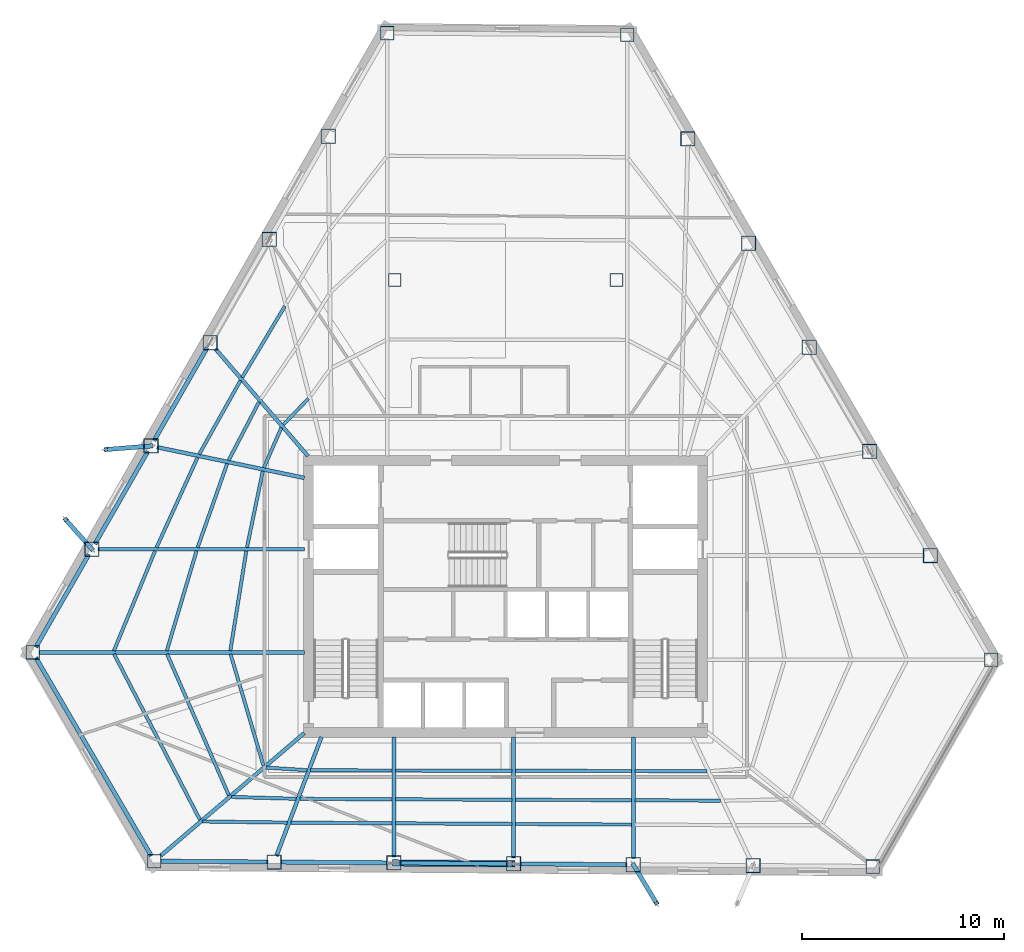
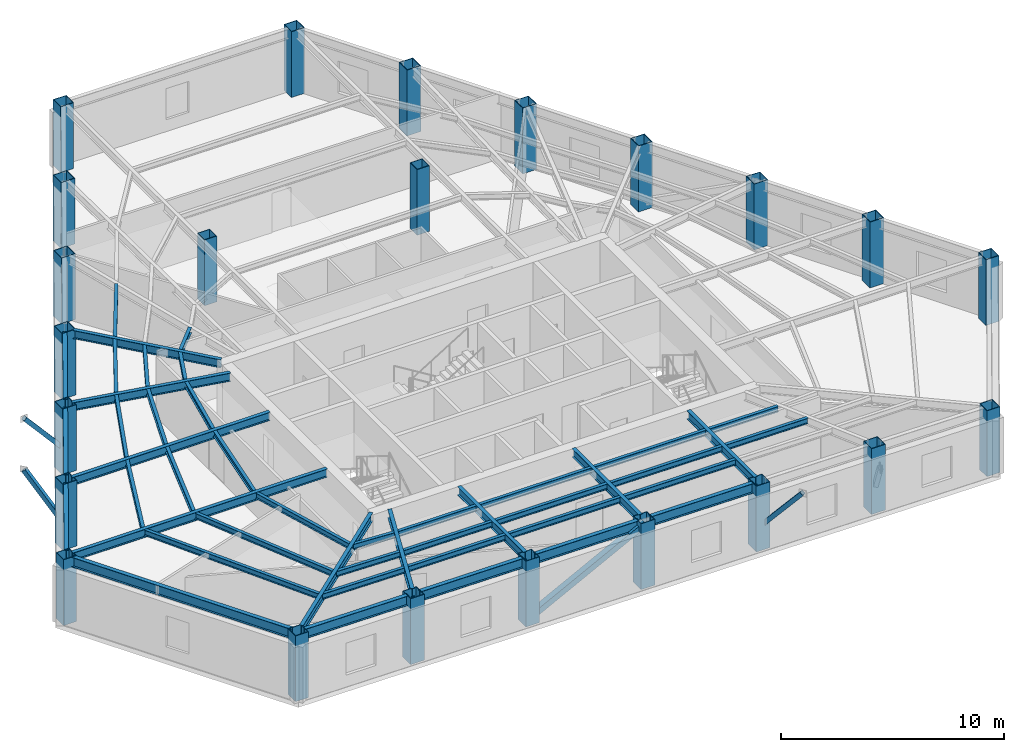
# One storey, part 1 of 13: 45 beams, 23 columns, 4 members.
"""IFC4 building model written with IfcOpenShell, lengths in metres."""

from ifc_helpers import new_model, si_unit, direction, frame, origin, origin_2d, place, context, subcontext, project, spatial, hollow_rectangle, i_section, extrude, material, material_profile, profile_set, type_object, element, save


model = new_model("IFC4")

# Units and contexts
model_context = context("Model", 3, precision=1e-05, world=origin(), true_north=direction((0.0, 1.0)))
body_context = subcontext(model_context, "Body", "Model", "MODEL_VIEW")
ifc_project = project(units=[si_unit("LENGTHUNIT", "METRE"), si_unit("AREAUNIT", "SQUARE_METRE"), si_unit("VOLUMEUNIT", "CUBIC_METRE"), si_unit("PLANEANGLEUNIT", "RADIAN"), si_unit("MASSUNIT", "GRAM", prefix="KILO")], contexts=[model_context])

# Site, building, storey
site_placement = place(None, origin())
site = spatial("IfcSite", under=ifc_project, at=site_placement, CompositionType="ELEMENT")
building_placement = place(site_placement, origin())
building = spatial("IfcBuilding", under=site, at=building_placement, Name="Kavelnor Concourse Tower", CompositionType="ELEMENT")
storey_placement = place(building_placement, frame((0.0, 0.0, 116.300048828125)))
storey = spatial("IfcBuildingStorey", under=building, at=storey_placement, Name="L29", CompositionType="ELEMENT", Elevation=116.300048828125)

# Columns
ifc_material = material(Name="Steel Grade 350", Category="steel")
ifc_material_profile_1 = material_profile(ifc_material, hollow_rectangle(XDim=0.679931640625, YDim=0.679931640625, WallThickness=0.030029296875, at=origin_2d()), Name="SHS 680x680x30")
ifc_profile_set_1 = profile_set([ifc_material_profile_1], Name="Steel Grade 350")
column_type_1 = type_object("IfcColumnType", Name="COL-FOLD-Z2", PredefinedType="COLUMN", material=ifc_profile_set_1)
for number, where, z_axis, x_axis, name in (
    (1, (32.132080078125, 44.04931640625, 0.0), (0.0, 0.0, 1.0), (1.0, 0.0, 0.0), "L29 Perimeter Corner-Fold Column F0-B0"),
    (2, (14.55078125, 13.33203125, 0.0), (0.0, 0.0, 1.0), (1.0, 0.0, 0.0), "L29 Perimeter Corner-Fold Column F0-B6"),
    (3, (20.57958984375, 2.97900390625, 0.0), (0.0, 0.0, 1.0), (1.0, 0.0, 0.0), "L29 Perimeter Corner-Fold Column F1-B0"),
    (4, (56.20947265625, 2.71337890625, 0.0), (0.0, 0.0, 1.0), (1.0, 0.0, 0.0), "L29 Perimeter Corner-Fold Column F1-B6"),
    (5, (62.0771484375, 12.96533203125, 0.0), (0.0, 0.0, 1.0), (1.0, 0.0, 0.0), "L29 Perimeter Corner-Fold Column F2-B0"),
    (6, (44.028564453125, 43.960693359375, 0.0), (0.0, 0.0, 1.0), (1.0, 0.0, 0.0), "L29 Perimeter Corner-Fold Column F2-B6"),
):
    element("IfcColumn", number, at=place(storey_placement, frame(where, z_axis=z_axis, x_axis=x_axis)), inside=storey, type_object=column_type_1, Name=name, PredefinedType="COLUMN", context=body_context, shape_type="SweptSolid", body=[
        extrude(hollow_rectangle(XDim=0.679931640625, YDim=0.679931640625, WallThickness=0.030029296875, at=origin_2d()), origin(), (0.0, 0.0, 1.0), 3.599853515625),
    ])
ifc_material_profile_2 = material_profile(ifc_material, hollow_rectangle(XDim=0.719970703125, YDim=0.719970703125, WallThickness=0.031982421875, at=origin_2d()), Name="SHS 720x720x32")
ifc_profile_set_2 = profile_set([ifc_material_profile_2], Name="Steel Grade 350")
column_type_2 = type_object("IfcColumnType", Name="COL-TUBE-Z2", PredefinedType="COLUMN", material=ifc_profile_set_2)
for number, where, z_axis, x_axis, name in (
    (7, (29.201904296875, 38.929931640625, 0.0), (0.0, 0.0, 1.0), (1.0, 0.0, 0.0), "L29 Perimeter Framed-Tube Column F0-B1"),
    (8, (26.271728515625, 33.810302734375, 0.0), (0.0, 0.0, 1.0), (1.0, 0.0, 0.0), "L29 Perimeter Framed-Tube Column F0-B2"),
    (9, (23.341552734375, 28.69091796875, 0.0), (0.0, 0.0, 1.0), (1.0, 0.0, 0.0), "L29 Perimeter Framed-Tube Column F0-B3"),
    (10, (20.411376953125, 23.5712890625, 0.0), (0.0, 0.0, 1.0), (1.0, 0.0, 0.0), "L29 Perimeter Framed-Tube Column F0-B4"),
    (11, (17.481201171875, 18.45166015625, 0.0), (0.0, 0.0, 1.0), (1.0, 0.0, 0.0), "L29 Perimeter Framed-Tube Column F0-B5"),
    (12, (26.517822265625, 2.934814453125, 0.0), (0.0, 0.0, 1.0), (1.0, 0.0, 0.0), "L29 Perimeter Framed-Tube Column F1-B1"),
    (13, (32.4560546875, 2.890380859375, 0.0), (0.0, 0.0, 1.0), (1.0, 0.0, 0.0), "L29 Perimeter Framed-Tube Column F1-B2"),
    (14, (38.39453125, 2.84619140625, 0.0), (0.0, 0.0, 1.0), (1.0, 0.0, 0.0), "L29 Perimeter Framed-Tube Column F1-B3"),
    (15, (44.332763671875, 2.802001953125, 0.0), (0.0, 0.0, 1.0), (1.0, 0.0, 0.0), "L29 Perimeter Framed-Tube Column F1-B4"),
    (16, (50.27099609375, 2.7578125, 0.0), (0.0, 0.0, 1.0), (1.0, 0.0, 0.0), "L29 Perimeter Framed-Tube Column F1-B5"),
    (17, (59.069091796875, 18.131103515625, 0.0), (0.0, 0.0, 1.0), (1.0, 0.0, 0.0), "L29 Perimeter Framed-Tube Column F2-B1"),
    (18, (56.06103515625, 23.297119140625, 0.0), (0.0, 0.0, 1.0), (1.0, 0.0, 0.0), "L29 Perimeter Framed-Tube Column F2-B2"),
    (19, (53.052978515625, 28.462890625, 0.0), (0.0, 0.0, 1.0), (1.0, 0.0, 0.0), "L29 Perimeter Framed-Tube Column F2-B3"),
    (20, (50.044921875, 33.62890625, 0.0), (0.0, 0.0, 1.0), (1.0, 0.0, 0.0), "L29 Perimeter Framed-Tube Column F2-B4"),
    (21, (47.03662109375, 38.794921875, 0.0), (0.0, 0.0, 1.0), (1.0, 0.0, 0.0), "L29 Perimeter Framed-Tube Column F2-B5"),
):
    element("IfcColumn", number, at=place(storey_placement, frame(where, z_axis=z_axis, x_axis=x_axis)), inside=storey, type_object=column_type_2, Name=name, PredefinedType="COLUMN", context=body_context, shape_type="SweptSolid", body=[
        extrude(hollow_rectangle(XDim=0.719970703125, YDim=0.719970703125, WallThickness=0.031982421875, at=origin_2d()), origin(), (0.0, 0.0, 1.0), 3.599853515625),
    ])
ifc_material_profile_3 = material_profile(ifc_material, hollow_rectangle(XDim=0.639892578125, YDim=0.639892578125, WallThickness=0.028076171875, at=origin_2d()), Name="SHS 640x640x28")
ifc_profile_set_3 = profile_set([ifc_material_profile_3], Name="Steel Grade 350")
column_type_3 = type_object("IfcColumnType", Name="COL-TUBE-Z3", PredefinedType="COLUMN", material=ifc_profile_set_3)
for number, where, z_axis, x_axis, name in (
    (22, (32.5, 31.800048828125, 0.0), (0.0, 0.0, 1.0), (1.0, 0.0, 0.0), "L29 North Interior Gravity Column BC-NW"),
    (23, (43.5, 31.800048828125, 0.0), (0.0, 0.0, 1.0), (1.0, 0.0, 0.0), "L29 North Interior Gravity Column BC-NE"),
):
    element("IfcColumn", number, at=place(storey_placement, frame(where, z_axis=z_axis, x_axis=x_axis)), inside=storey, type_object=column_type_3, Name=name, PredefinedType="COLUMN", context=body_context, shape_type="SweptSolid", body=[
        extrude(hollow_rectangle(XDim=0.639892578125, YDim=0.639892578125, WallThickness=0.028076171875, at=origin_2d()), origin(), (0.0, 0.0, 1.0), 3.599853515625),
    ])

# Beams
ifc_material_profile_4 = material_profile(ifc_material, i_section(OverallWidth=0.166015625, OverallDepth=0.306884765625, WebThickness=0.006591796875, FlangeThickness=0.01171875, at=origin_2d()), Name="310UB46")
ifc_profile_set_4 = profile_set([ifc_material_profile_4], Name="Steel Grade 350")
beam_type_1 = type_object("IfcBeamType", Name="BM-JOIST-310", PredefinedType="JOIST", material=ifc_profile_set_4)
beam_1_placement = place(storey_placement, frame((24.35791015625, 13.24658203125, 3.446533203125), z_axis=(0.282979195481, -0.959126047464, 0.0), x_axis=(0.959126047464, 0.282979195481, 0.0)))
element("IfcBeam", 24, at=beam_1_placement, inside=storey, type_object=beam_type_1, Name="L29 Secondary Composite Joist 01-1", PredefinedType="JOIST", context=body_context, shape_type="SweptSolid", body=[
    extrude(i_section(OverallWidth=0.166015625, OverallDepth=0.306884765625, WebThickness=0.006591796875, FlangeThickness=0.01171875, at=origin_2d()), origin(), (0.0, 0.0, 1.0), 5.771728515625),
])
beam_2_placement = place(storey_placement, frame((21.207763671875, 13.25048828125, 3.446533203125), z_axis=(0.400780302635, -0.916174191418, 0.0), x_axis=(0.916174191418, 0.400780302635, 0.0)))
element("IfcBeam", 25, at=beam_2_placement, inside=storey, type_object=beam_type_1, Name="L29 Secondary Composite Joist 01-2", PredefinedType="JOIST", context=body_context, shape_type="SweptSolid", body=[
    extrude(i_section(OverallWidth=0.166015625, OverallDepth=0.306884765625, WebThickness=0.006591796875, FlangeThickness=0.01171875, at=origin_2d()), origin(), (0.0, 0.0, 1.0), 7.64501953125),
])
beam_3_placement = place(storey_placement, frame((18.5791015625, 13.253173828125, 3.446533203125), z_axis=(0.460088720366, -0.88787294665, 0.0), x_axis=(0.88787294665, 0.460088720366, 0.0)))
element("IfcBeam", 26, at=beam_3_placement, inside=storey, type_object=beam_type_1, Name="L29 Secondary Composite Joist 01-3", PredefinedType="JOIST", context=body_context, shape_type="SweptSolid", body=[
    extrude(i_section(OverallWidth=0.166015625, OverallDepth=0.306884765625, WebThickness=0.006591796875, FlangeThickness=0.01171875, at=origin_2d()), origin(), (0.0, 0.0, 1.0), 9.265380859375),
])
beam_4_placement = place(storey_placement, frame((26.105224609375, 7.619873046875, 3.446533203125), z_axis=(0.99801999727, -0.062897416873, 0.0), x_axis=(0.062897416873, 0.99801999727, 0.0)))
element("IfcBeam", 27, at=beam_4_placement, inside=storey, type_object=beam_type_1, Name="L29 Secondary Composite Joist 02-1", PredefinedType="JOIST", context=body_context, shape_type="SweptSolid", body=[
    extrude(i_section(OverallWidth=0.166015625, OverallDepth=0.306884765625, WebThickness=0.006591796875, FlangeThickness=0.01171875, at=origin_2d()), origin(), (0.0, 0.0, 1.0), 2.049560546875),
])
beam_5_placement = place(storey_placement, frame((24.396240234375, 6.162353515625, 3.446533203125), z_axis=(0.999604240412, -0.028131166896, 0.0), x_axis=(0.028131166896, 0.999604240412, 0.0)))
element("IfcBeam", 28, at=beam_5_placement, inside=storey, type_object=beam_type_1, Name="L29 Secondary Composite Joist 02-2", PredefinedType="JOIST", context=body_context, shape_type="SweptSolid", body=[
    extrude(i_section(OverallWidth=0.166015625, OverallDepth=0.306884765625, WebThickness=0.006591796875, FlangeThickness=0.01171875, at=origin_2d()), origin(), (0.0, 0.0, 1.0), 3.2197265625),
])
beam_6_placement = place(storey_placement, frame((22.97216796875, 4.946533203125, 3.446533203125), z_axis=(0.999910470286, -0.013381009377, 0.0), x_axis=(0.013381009377, 0.999910470286, 0.0)))
element("IfcBeam", 29, at=beam_6_placement, inside=storey, type_object=beam_type_1, Name="L29 Secondary Composite Joist 02-3", PredefinedType="JOIST", context=body_context, shape_type="SweptSolid", body=[
    extrude(i_section(OverallWidth=0.166015625, OverallDepth=0.306884765625, WebThickness=0.006591796875, FlangeThickness=0.01171875, at=origin_2d()), origin(), (0.0, 0.0, 1.0), 4.196533203125),
])
beam_7_placement = place(storey_placement, frame((28.32861328125, 7.485107421875, 3.446533203125), z_axis=(0.999996462495, -0.002659886613, 0.0), x_axis=(0.002659886613, 0.999996462495, 0.0)))
element("IfcBeam", 30, at=beam_7_placement, inside=storey, type_object=beam_type_1, Name="L29 Secondary Composite Joist 03-1", PredefinedType="JOIST", context=body_context, shape_type="SweptSolid", body=[
    extrude(i_section(OverallWidth=0.166015625, OverallDepth=0.306884765625, WebThickness=0.006591796875, FlangeThickness=0.01171875, at=origin_2d()), origin(), (0.0, 0.0, 1.0), 4.03857421875),
])
beam_8_placement = place(storey_placement, frame((27.792724609375, 6.06884765625, 3.446533203125), z_axis=(0.999988206438, -0.004856643368, 0.0), x_axis=(0.004856643368, 0.999988206438, 0.0)))
element("IfcBeam", 31, at=beam_8_placement, inside=storey, type_object=beam_type_1, Name="L29 Secondary Composite Joist 03-2", PredefinedType="JOIST", context=body_context, shape_type="SweptSolid", body=[
    extrude(i_section(OverallWidth=0.166015625, OverallDepth=0.306884765625, WebThickness=0.006591796875, FlangeThickness=0.01171875, at=origin_2d()), origin(), (0.0, 0.0, 1.0), 4.574462890625),
])
beam_9_placement = place(storey_placement, frame((27.34619140625, 4.888916015625, 3.446533203125), z_axis=(0.999979713846, -0.006369607241, 0.0), x_axis=(0.006369607241, 0.999979713846, 0.0)))
element("IfcBeam", 32, at=beam_9_placement, inside=storey, type_object=beam_type_1, Name="L29 Secondary Composite Joist 03-3", PredefinedType="JOIST", context=body_context, shape_type="SweptSolid", body=[
    extrude(i_section(OverallWidth=0.166015625, OverallDepth=0.306884765625, WebThickness=0.006591796875, FlangeThickness=0.01171875, at=origin_2d()), origin(), (0.0, 0.0, 1.0), 5.02099609375),
])
for number, where, z_axis, x_axis, name in (
    (33, (32.545166015625, 7.47412109375, 3.446533203125), (0.99999775454, -0.002119178085, 0.0), (0.002119178085, 0.99999775454, 0.0), "L29 Secondary Composite Joist 04-1"),
    (34, (32.545166015625, 6.0458984375, 3.446533203125), (0.999992562195, -0.003856884087, 0.0), (0.003856884087, 0.999992562195, 0.0), "L29 Secondary Composite Joist 04-2"),
    (35, (32.545166015625, 4.85595703125, 3.446533203125), (0.999985513454, -0.005382646444, 0.0), (0.005382646444, 0.999985513454, 0.0), "L29 Secondary Composite Joist 04-3"),
):
    element("IfcBeam", number, at=place(storey_placement, frame(where, z_axis=z_axis, x_axis=x_axis)), inside=storey, type_object=beam_type_1, Name=name, PredefinedType="JOIST", context=body_context, shape_type="SweptSolid", body=[
        extrude(i_section(OverallWidth=0.166015625, OverallDepth=0.306884765625, WebThickness=0.006591796875, FlangeThickness=0.01171875, at=origin_2d()), origin(), (0.0, 0.0, 1.0), 5.76025390625),
    ])
for number, where, z_axis, x_axis, name in (
    (36, (38.4833984375, 7.461669921875, 3.446533203125), (0.99999775473, -0.00211908827, 0.0), (0.00211908827, 0.99999775473, 0.0), "L29 Secondary Composite Joist 05-1"),
    (37, (38.4833984375, 6.02294921875, 3.446533203125), (0.999992398475, -0.003899101533, 0.0), (0.003899101533, 0.999992398475, 0.0), "L29 Secondary Composite Joist 05-2"),
    (38, (38.4833984375, 4.823974609375, 3.446533203125), (0.999985514682, -0.005382418324, 0.0), (0.005382418324, 0.999985514682, 0.0), "L29 Secondary Composite Joist 05-3"),
):
    element("IfcBeam", number, at=place(storey_placement, frame(where, z_axis=z_axis, x_axis=x_axis)), inside=storey, type_object=beam_type_1, Name=name, PredefinedType="JOIST", context=body_context, shape_type="SweptSolid", body=[
        extrude(i_section(OverallWidth=0.166015625, OverallDepth=0.306884765625, WebThickness=0.006591796875, FlangeThickness=0.01171875, at=origin_2d()), origin(), (0.0, 0.0, 1.0), 5.760498046875),
    ])
beam_10_placement = place(storey_placement, frame((44.421875, 7.448974609375, 3.446533203125), z_axis=(0.999992864447, -0.003777705031, 0.0), x_axis=(0.003777705031, 0.999992864447, 0.0)))
element("IfcBeam", 39, at=beam_10_placement, inside=storey, type_object=beam_type_1, Name="L29 Secondary Composite Joist 06-1", PredefinedType="JOIST", context=body_context, shape_type="SweptSolid", body=[
    extrude(i_section(OverallWidth=0.166015625, OverallDepth=0.306884765625, WebThickness=0.006591796875, FlangeThickness=0.01171875, at=origin_2d()), origin(), (0.0, 0.0, 1.0), 3.554443359375),
])
beam_11_placement = place(storey_placement, frame((44.421875, 5.999755859375, 3.446533203125), z_axis=(0.999986584815, -0.005179786626, 0.0), x_axis=(0.005179786626, 0.999986584815, 0.0)))
element("IfcBeam", 40, at=beam_11_placement, inside=storey, type_object=beam_type_1, Name="L29 Secondary Composite Joist 06-2", PredefinedType="JOIST", context=body_context, shape_type="SweptSolid", body=[
    extrude(i_section(OverallWidth=0.166015625, OverallDepth=0.306884765625, WebThickness=0.006591796875, FlangeThickness=0.01171875, at=origin_2d()), origin(), (0.0, 0.0, 1.0), 4.241943359375),
])
beam_12_placement = place(storey_placement, frame((28.21826171875, 25.92236328125, 3.446533203125), z_axis=(-0.691133358753, -0.722727251747, 0.0), x_axis=(0.722727251747, -0.691133358753, 0.0)))
element("IfcBeam", 41, at=beam_12_placement, inside=storey, type_object=beam_type_1, Name="L29 Secondary Composite Joist 18-1", PredefinedType="JOIST", context=body_context, shape_type="SweptSolid", body=[
    extrude(i_section(OverallWidth=0.166015625, OverallDepth=0.306884765625, WebThickness=0.006591796875, FlangeThickness=0.01171875, at=origin_2d()), origin(), (0.0, 0.0, 1.0), 1.800537109375),
])
beam_13_placement = place(storey_placement, frame((27.05419921875, 30.50732421875, 3.446533203125), z_axis=(-0.51319711049, -0.858270776495, 0.0), x_axis=(0.858270776495, -0.51319711049, 0.0)))
element("IfcBeam", 42, at=beam_13_placement, inside=storey, type_object=beam_type_1, Name="L29 Secondary Composite Joist 18-3", PredefinedType="JOIST", context=body_context, shape_type="SweptSolid", body=[
    extrude(i_section(OverallWidth=0.166015625, OverallDepth=0.306884765625, WebThickness=0.006591796875, FlangeThickness=0.01171875, at=origin_2d()), origin(), (0.0, 0.0, 1.0), 4.12109375),
])
beam_14_placement = place(storey_placement, frame((26.876708984375, 24.475341796875, 3.446533203125), z_axis=(-0.400931240767, -0.916108148734, 0.0), x_axis=(0.916108148734, -0.400931240767, 0.0)))
element("IfcBeam", 43, at=beam_14_placement, inside=storey, type_object=beam_type_1, Name="L29 Secondary Composite Joist 19-1", PredefinedType="JOIST", context=body_context, shape_type="SweptSolid", body=[
    extrude(i_section(OverallWidth=0.166015625, OverallDepth=0.306884765625, WebThickness=0.006591796875, FlangeThickness=0.01171875, at=origin_2d()), origin(), (0.0, 0.0, 1.0), 2.164794921875),
])
beam_15_placement = place(storey_placement, frame((25.77001953125, 25.752685546875, 3.446533203125), z_axis=(-0.462098531116, -0.886828589718, 0.0), x_axis=(0.886828589718, -0.462098531116, 0.0)))
element("IfcBeam", 44, at=beam_15_placement, inside=storey, type_object=beam_type_1, Name="L29 Secondary Composite Joist 19-2", PredefinedType="JOIST", context=body_context, shape_type="SweptSolid", body=[
    extrude(i_section(OverallWidth=0.166015625, OverallDepth=0.306884765625, WebThickness=0.006591796875, FlangeThickness=0.01171875, at=origin_2d()), origin(), (0.0, 0.0, 1.0), 3.2666015625),
])
beam_16_placement = place(storey_placement, frame((24.85009765625, 26.81640625, 3.446533203125), z_axis=(-0.488700907274, -0.872451387316, 0.0), x_axis=(0.872451387316, -0.488700907274, 0.0)))
element("IfcBeam", 45, at=beam_16_placement, inside=storey, type_object=beam_type_1, Name="L29 Secondary Composite Joist 19-3", PredefinedType="JOIST", context=body_context, shape_type="SweptSolid", body=[
    extrude(i_section(OverallWidth=0.166015625, OverallDepth=0.306884765625, WebThickness=0.006591796875, FlangeThickness=0.01171875, at=origin_2d()), origin(), (0.0, 0.0, 1.0), 4.19189453125),
])
beam_17_placement = place(storey_placement, frame((25.955078125, 22.323486328125, 3.446533203125), z_axis=(-0.202829095982, -0.979214153198, 0.0), x_axis=(0.979214153198, -0.202829095982, 0.0)))
element("IfcBeam", 46, at=beam_17_placement, inside=storey, type_object=beam_type_1, Name="L29 Secondary Composite Joist 20-1", PredefinedType="JOIST", context=body_context, shape_type="SweptSolid", body=[
    extrude(i_section(OverallWidth=0.166015625, OverallDepth=0.306884765625, WebThickness=0.006591796875, FlangeThickness=0.01171875, at=origin_2d()), origin(), (0.0, 0.0, 1.0), 3.864990234375),
])
beam_18_placement = place(storey_placement, frame((24.18994140625, 22.692626953125, 3.446533203125), z_axis=(-0.332301420328, -0.943173242861, 0.0), x_axis=(0.943173242861, -0.332301420328, 0.0)))
element("IfcBeam", 47, at=beam_18_placement, inside=storey, type_object=beam_type_1, Name="L29 Secondary Composite Joist 20-2", PredefinedType="JOIST", context=body_context, shape_type="SweptSolid", body=[
    extrude(i_section(OverallWidth=0.166015625, OverallDepth=0.306884765625, WebThickness=0.006591796875, FlangeThickness=0.01171875, at=origin_2d()), origin(), (0.0, 0.0, 1.0), 4.407470703125),
])
beam_19_placement = place(storey_placement, frame((22.72119140625, 23.00048828125, 3.446533203125), z_axis=(-0.414743041102, -0.909938574772, 0.0), x_axis=(0.909938574772, -0.414743041102, 0.0)))
element("IfcBeam", 48, at=beam_19_placement, inside=storey, type_object=beam_type_1, Name="L29 Secondary Composite Joist 20-3", PredefinedType="JOIST", context=body_context, shape_type="SweptSolid", body=[
    extrude(i_section(OverallWidth=0.166015625, OverallDepth=0.306884765625, WebThickness=0.006591796875, FlangeThickness=0.01171875, at=origin_2d()), origin(), (0.0, 0.0, 1.0), 4.909912109375),
])
beam_20_placement = place(storey_placement, frame((25.138916015625, 18.36376953125, 3.446533203125), z_axis=(-0.158228214063, -0.987402568497, 0.0), x_axis=(0.987402568497, -0.158228214063, 0.0)))
element("IfcBeam", 49, at=beam_20_placement, inside=storey, type_object=beam_type_1, Name="L29 Secondary Composite Joist 21-1", PredefinedType="JOIST", context=body_context, shape_type="SweptSolid", body=[
    extrude(i_section(OverallWidth=0.166015625, OverallDepth=0.306884765625, WebThickness=0.006591796875, FlangeThickness=0.01171875, at=origin_2d()), origin(), (0.0, 0.0, 1.0), 5.0068359375),
])
beam_21_placement = place(storey_placement, frame((22.67041015625, 18.366455078125, 3.446533203125), z_axis=(-0.285252043537, -0.958452540118, 0.0), x_axis=(0.958452540118, -0.285252043537, 0.0)))
element("IfcBeam", 50, at=beam_21_placement, inside=storey, type_object=beam_type_1, Name="L29 Secondary Composite Joist 21-2", PredefinedType="JOIST", context=body_context, shape_type="SweptSolid", body=[
    extrude(i_section(OverallWidth=0.166015625, OverallDepth=0.306884765625, WebThickness=0.006591796875, FlangeThickness=0.01171875, at=origin_2d()), origin(), (0.0, 0.0, 1.0), 5.16357421875),
])
beam_22_placement = place(storey_placement, frame((20.614013671875, 18.369384765625, 3.446533203125), z_axis=(-0.380976625447, -0.924584669386, 0.0), x_axis=(0.924584669386, -0.380976625447, 0.0)))
element("IfcBeam", 51, at=beam_22_placement, inside=storey, type_object=beam_type_1, Name="L29 Secondary Composite Joist 21-3", PredefinedType="JOIST", context=body_context, shape_type="SweptSolid", body=[
    extrude(i_section(OverallWidth=0.166015625, OverallDepth=0.306884765625, WebThickness=0.006591796875, FlangeThickness=0.01171875, at=origin_2d()), origin(), (0.0, 0.0, 1.0), 5.359130859375),
])
ifc_material_profile_5 = material_profile(ifc_material, i_section(OverallWidth=0.18994140625, OverallDepth=0.4541015625, WebThickness=0.008544921875, FlangeThickness=0.0126953125, at=origin_2d()), Name="460UB67")
ifc_profile_set_5 = profile_set([ifc_material_profile_5], Name="Steel Grade 350")
beam_type_2 = type_object("IfcBeamType", Name="BM-PRIMARY-460", PredefinedType="BEAM", material=ifc_profile_set_5)
beam_23_placement = place(storey_placement, frame((28.197021484375, 23.069580078125, 3.373046875), z_axis=(-0.653694127772, 0.756758869995, 0.0), x_axis=(-0.756758869995, -0.653694127772, 0.0)))
element("IfcBeam", 52, at=beam_23_placement, inside=storey, type_object=beam_type_2, Name="L29 Primary Floor Girder F0-B3", PredefinedType="BEAM", context=body_context, shape_type="SweptSolid", body=[
    extrude(i_section(OverallWidth=0.18994140625, OverallDepth=0.4541015625, WebThickness=0.008544921875, FlangeThickness=0.0126953125, at=origin_2d()), origin(), (0.0, 0.0, 1.0), 7.018798828125),
])
beam_24_placement = place(storey_placement, frame((28.019287109375, 21.98388671875, 3.373046875), z_axis=(-0.978924328952, 0.20422330471, 0.0), x_axis=(-0.20422330471, -0.978924328952, 0.0)))
element("IfcBeam", 53, at=beam_24_placement, inside=storey, type_object=beam_type_2, Name="L29 Primary Floor Girder F0-B4", PredefinedType="BEAM", context=body_context, shape_type="SweptSolid", body=[
    extrude(i_section(OverallWidth=0.18994140625, OverallDepth=0.4541015625, WebThickness=0.008544921875, FlangeThickness=0.0126953125, at=origin_2d()), origin(), (0.0, 0.0, 1.0), 7.46435546875),
])
beam_25_placement = place(storey_placement, frame((28.02001953125, 18.45166015625, 3.373046875), z_axis=(-1.0, 0.0, 0.0), x_axis=(0.0, -1.0, 0.0)))
element("IfcBeam", 54, at=beam_25_placement, inside=storey, type_object=beam_type_2, Name="L29 Primary Floor Girder F0-B5", PredefinedType="BEAM", context=body_context, shape_type="SweptSolid", body=[
    extrude(i_section(OverallWidth=0.18994140625, OverallDepth=0.4541015625, WebThickness=0.008544921875, FlangeThickness=0.0126953125, at=origin_2d()), origin(), (0.0, 0.0, 1.0), 10.239013671875),
])
beam_26_placement = place(storey_placement, frame((28.02001953125, 13.33203125, 3.373046875), z_axis=(-1.0, 0.0, 0.0), x_axis=(0.0, -1.0, 0.0)))
element("IfcBeam", 55, at=beam_26_placement, inside=storey, type_object=beam_type_2, Name="L29 Primary Floor Girder F0-B6", PredefinedType="BEAM", context=body_context, shape_type="SweptSolid", body=[
    extrude(i_section(OverallWidth=0.18994140625, OverallDepth=0.4541015625, WebThickness=0.008544921875, FlangeThickness=0.0126953125, at=origin_2d()), origin(), (0.0, 0.0, 1.0), 13.169189453125),
])
beam_27_placement = place(storey_placement, frame((28.010498046875, 9.32958984375, 3.373046875), z_axis=(-0.760208745591, -0.64967889232, 0.0), x_axis=(0.64967889232, -0.760208745591, 0.0)))
element("IfcBeam", 56, at=beam_27_placement, inside=storey, type_object=beam_type_2, Name="L29 Primary Floor Girder F1-B0", PredefinedType="BEAM", context=body_context, shape_type="SweptSolid", body=[
    extrude(i_section(OverallWidth=0.18994140625, OverallDepth=0.4541015625, WebThickness=0.008544921875, FlangeThickness=0.0126953125, at=origin_2d()), origin(), (0.0, 0.0, 1.0), 9.36767578125),
])
beam_28_placement = place(storey_placement, frame((28.864501953125, 9.137451171875, 3.373046875), z_axis=(-0.353849092472, -0.935302528467, 0.0), x_axis=(0.935302528467, -0.353849092472, 0.0)))
element("IfcBeam", 57, at=beam_28_placement, inside=storey, type_object=beam_type_2, Name="L29 Primary Floor Girder F1-B1", PredefinedType="BEAM", context=body_context, shape_type="SweptSolid", body=[
    extrude(i_section(OverallWidth=0.18994140625, OverallDepth=0.4541015625, WebThickness=0.008544921875, FlangeThickness=0.0126953125, at=origin_2d()), origin(), (0.0, 0.0, 1.0), 6.308349609375),
])
beam_29_placement = place(storey_placement, frame((32.4560546875, 9.139892578125, 3.373046875), z_axis=(0.0, -1.0, 0.0), x_axis=(1.0, 0.0, 0.0)))
element("IfcBeam", 58, at=beam_29_placement, inside=storey, type_object=beam_type_2, Name="L29 Primary Floor Girder F1-B2", PredefinedType="BEAM", context=body_context, shape_type="SweptSolid", body=[
    extrude(i_section(OverallWidth=0.18994140625, OverallDepth=0.4541015625, WebThickness=0.008544921875, FlangeThickness=0.0126953125, at=origin_2d()), origin(), (0.0, 0.0, 1.0), 5.949462890625),
])
beam_30_placement = place(storey_placement, frame((38.39453125, 9.139892578125, 3.373046875), z_axis=(0.0, -1.0, 0.0), x_axis=(1.0, 0.0, 0.0)))
element("IfcBeam", 59, at=beam_30_placement, inside=storey, type_object=beam_type_2, Name="L29 Primary Floor Girder F1-B3", PredefinedType="BEAM", context=body_context, shape_type="SweptSolid", body=[
    extrude(i_section(OverallWidth=0.18994140625, OverallDepth=0.4541015625, WebThickness=0.008544921875, FlangeThickness=0.0126953125, at=origin_2d()), origin(), (0.0, 0.0, 1.0), 5.99365234375),
])
beam_31_placement = place(storey_placement, frame((44.332763671875, 9.139892578125, 3.373046875), z_axis=(0.0, -1.0, 0.0), x_axis=(1.0, 0.0, 0.0)))
element("IfcBeam", 60, at=beam_31_placement, inside=storey, type_object=beam_type_2, Name="L29 Primary Floor Girder F1-B4", PredefinedType="BEAM", context=body_context, shape_type="SweptSolid", body=[
    extrude(i_section(OverallWidth=0.18994140625, OverallDepth=0.4541015625, WebThickness=0.008544921875, FlangeThickness=0.0126953125, at=origin_2d()), origin(), (0.0, 0.0, 1.0), 6.0380859375),
])
ifc_material_profile_6 = material_profile(ifc_material, i_section(OverallWidth=0.208984375, OverallDepth=0.532958984375, WebThickness=0.01025390625, FlangeThickness=0.015625, at=origin_2d()), Name="530UB92")
ifc_profile_set_6 = profile_set([ifc_material_profile_6], Name="Steel Grade 350")
beam_type_3 = type_object("IfcBeamType", Name="BM-SPANDREL-Z2", PredefinedType="SPANDREL", material=ifc_profile_set_6)
for number, where, z_axis, x_axis, name in (
    (61, (23.18994140625, 28.426025390625, 3.33349609375), (-0.496750285507, -0.86789351527, 0.0), (0.86789351527, -0.496750285507, 0.0), "L29 Perimeter Tube Spandrel Beam F0-B3"),
    (62, (20.259765625, 23.306396484375, 3.33349609375), (-0.496750285507, -0.86789351527, 0.0), (0.86789351527, -0.496750285507, 0.0), "L29 Perimeter Tube Spandrel Beam F0-B4"),
):
    element("IfcBeam", number, at=place(storey_placement, frame(where, z_axis=z_axis, x_axis=x_axis)), inside=storey, type_object=beam_type_3, Name=name, PredefinedType="SPANDREL", context=body_context, shape_type="SweptSolid", body=[
        extrude(i_section(OverallWidth=0.208984375, OverallDepth=0.532958984375, WebThickness=0.01025390625, FlangeThickness=0.015625, at=origin_2d()), origin(), (0.0, 0.0, 1.0), 5.288818359375),
    ])
beam_32_placement = place(storey_placement, frame((17.32958984375, 18.18701171875, 3.33349609375), z_axis=(-0.496730384479, -0.867904905583, 0.0), x_axis=(0.867904905583, -0.496730384479, 0.0)))
element("IfcBeam", 63, at=beam_32_placement, inside=storey, type_object=beam_type_3, Name="L29 Perimeter Tube Spandrel Beam F0-B5", PredefinedType="SPANDREL", context=body_context, shape_type="SweptSolid", body=[
    extrude(i_section(OverallWidth=0.208984375, OverallDepth=0.532958984375, WebThickness=0.01025390625, FlangeThickness=0.015625, at=origin_2d()), origin(), (0.0, 0.0, 1.0), 5.2890625),
])
for number, where, z_axis, x_axis, name in (
    (64, (20.884521484375, 2.976806640625, 3.33349609375), (0.999972111925, -0.007468291145, 0.0), (0.007468291145, 0.999972111925, 0.0), "L29 Perimeter Tube Spandrel Beam F1-B0"),
    (65, (26.82275390625, 2.932373046875, 3.33349609375), (0.999972453046, -0.00742247594, 0.0), (0.00742247594, 0.999972453046, 0.0), "L29 Perimeter Tube Spandrel Beam F1-B1"),
):
    element("IfcBeam", number, at=place(storey_placement, frame(where, z_axis=z_axis, x_axis=x_axis)), inside=storey, type_object=beam_type_3, Name=name, PredefinedType="SPANDREL", context=body_context, shape_type="SweptSolid", body=[
        extrude(i_section(OverallWidth=0.208984375, OverallDepth=0.532958984375, WebThickness=0.01025390625, FlangeThickness=0.015625, at=origin_2d()), origin(), (0.0, 0.0, 1.0), 5.32861328125),
    ])
beam_33_placement = place(storey_placement, frame((32.760986328125, 2.88818359375, 3.33349609375), z_axis=(0.99997211448, -0.00746794899, 0.0), x_axis=(0.00746794899, 0.99997211448, 0.0)))
element("IfcBeam", 66, at=beam_33_placement, inside=storey, type_object=beam_type_3, Name="L29 Perimeter Tube Spandrel Beam F1-B2", PredefinedType="SPANDREL", context=body_context, shape_type="SweptSolid", body=[
    extrude(i_section(OverallWidth=0.208984375, OverallDepth=0.532958984375, WebThickness=0.01025390625, FlangeThickness=0.015625, at=origin_2d()), origin(), (0.0, 0.0, 1.0), 5.328857421875),
])
beam_34_placement = place(storey_placement, frame((38.699462890625, 2.843994140625, 3.33349609375), z_axis=(0.999972111925, -0.007468291145, 0.0), x_axis=(0.007468291145, 0.999972111925, 0.0)))
element("IfcBeam", 67, at=beam_34_placement, inside=storey, type_object=beam_type_3, Name="L29 Perimeter Tube Spandrel Beam F1-B3", PredefinedType="SPANDREL", context=body_context, shape_type="SweptSolid", body=[
    extrude(i_section(OverallWidth=0.208984375, OverallDepth=0.532958984375, WebThickness=0.01025390625, FlangeThickness=0.015625, at=origin_2d()), origin(), (0.0, 0.0, 1.0), 5.32861328125),
])
beam_35_placement = place(storey_placement, frame((14.704345703125, 13.068603515625, 3.33349609375), z_axis=(0.503207372434, -0.864165690321, 0.0), x_axis=(0.864165690321, 0.503207372434, 0.0)))
element("IfcBeam", 68, at=beam_35_placement, inside=storey, type_object=beam_type_3, Name="L29 Chamfer Facet Spandrel Beam C1", PredefinedType="SPANDREL", context=body_context, shape_type="SweptSolid", body=[
    extrude(i_section(OverallWidth=0.208984375, OverallDepth=0.532958984375, WebThickness=0.01025390625, FlangeThickness=0.015625, at=origin_2d()), origin(), (0.0, 0.0, 1.0), 11.370361328125),
])

# Members
ifc_material_profile_7 = material_profile(ifc_material, hollow_rectangle(XDim=0.219970703125, YDim=0.219970703125, WallThickness=0.013916015625, at=origin_2d()), Name="SHS 220x220x14")
ifc_profile_set_7 = profile_set([ifc_material_profile_7], Name="Steel Grade 350")
member_type_1 = type_object("IfcMemberType", Name="MBR-BALC-STRUT-220", PredefinedType="STRUT", material=ifc_profile_set_7)
member_1_placement = place(storey_placement, frame((20.411376953125, 23.5712890625, 1.050048828125), z_axis=(-0.651189310903, -0.052012832613, 0.757130864916), x_axis=(0.079620021266, -0.996825286705, 0.0)))
element("IfcMember", 69, at=member_1_placement, inside=storey, type_object=member_type_1, Name="L29 Tree Balcony Raking Knee Strut 1-A", PredefinedType="STRUT", context=body_context, shape_type="SweptSolid", body=[
    extrude(hollow_rectangle(XDim=0.219970703125, YDim=0.219970703125, WallThickness=0.013916015625, at=origin_2d()), origin(), (0.0, 0.0, 1.0), 3.440673828125),
])
member_2_placement = place(storey_placement, frame((17.481201171875, 18.45166015625, 1.050048828125), z_axis=(-0.40011864842, 0.451469575277, 0.797546418577), x_axis=(-0.748386077132, -0.663263356107, 0.0)))
element("IfcMember", 70, at=member_2_placement, inside=storey, type_object=member_type_1, Name="L29 Tree Balcony Raking Knee Strut 1-B", PredefinedType="STRUT", context=body_context, shape_type="SweptSolid", body=[
    extrude(hollow_rectangle(XDim=0.219970703125, YDim=0.219970703125, WallThickness=0.013916015625, at=origin_2d()), origin(), (0.0, 0.0, 1.0), 3.266357421875),
])
member_3_placement = place(storey_placement, frame((44.332763671875, 2.802001953125, 1.050048828125), z_axis=(0.334543817278, -0.557026854194, 0.760132566089), x_axis=(0.857270342069, 0.514866546407, 0.0)))
element("IfcMember", 71, at=member_3_placement, inside=storey, type_object=member_type_1, Name="L29 Tree Balcony Raking Knee Strut 2-A", PredefinedType="STRUT", context=body_context, shape_type="SweptSolid", body=[
    extrude(hollow_rectangle(XDim=0.219970703125, YDim=0.219970703125, WallThickness=0.013916015625, at=origin_2d()), origin(), (0.0, 0.0, 1.0), 3.427001953125),
])
ifc_material_profile_8 = material_profile(ifc_material, hollow_rectangle(XDim=0.320068359375, YDim=0.320068359375, WallThickness=0.01806640625, at=origin_2d()), Name="SHS 320x320x18")
ifc_profile_set_8 = profile_set([ifc_material_profile_8], Name="Steel Grade 350")
member_type_2 = type_object("IfcMemberType", Name="MBR-TUBE-DIAG-Z2", PredefinedType="BRACE", material=ifc_profile_set_8)
member_4_placement = place(storey_placement, frame((32.4560546875, 2.890380859375, 0.219970703125), z_axis=(0.885634784417, -0.006590194704, 0.464335652264), x_axis=(0.00744100432, 0.999972315344, 0.0)))
element("IfcMember", 72, at=member_4_placement, inside=storey, type_object=member_type_2, Name="L29 Framed-Tube Bracing Diagonal F1-B2", PredefinedType="BRACE", context=body_context, shape_type="SweptSolid", body=[
    extrude(hollow_rectangle(XDim=0.320068359375, YDim=0.320068359375, WallThickness=0.01806640625, at=origin_2d()), origin(), (0.0, 0.0, 1.0), 6.705322265625),
])

save(model, "model.ifc")
